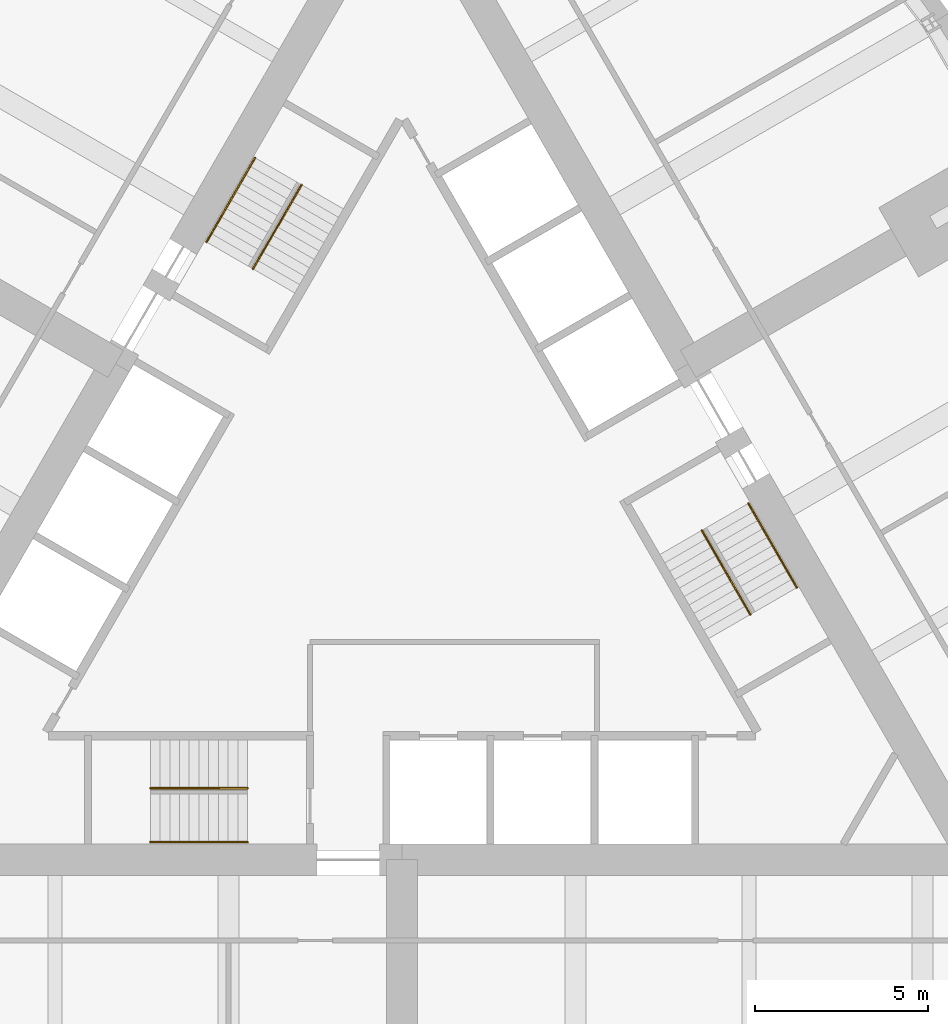
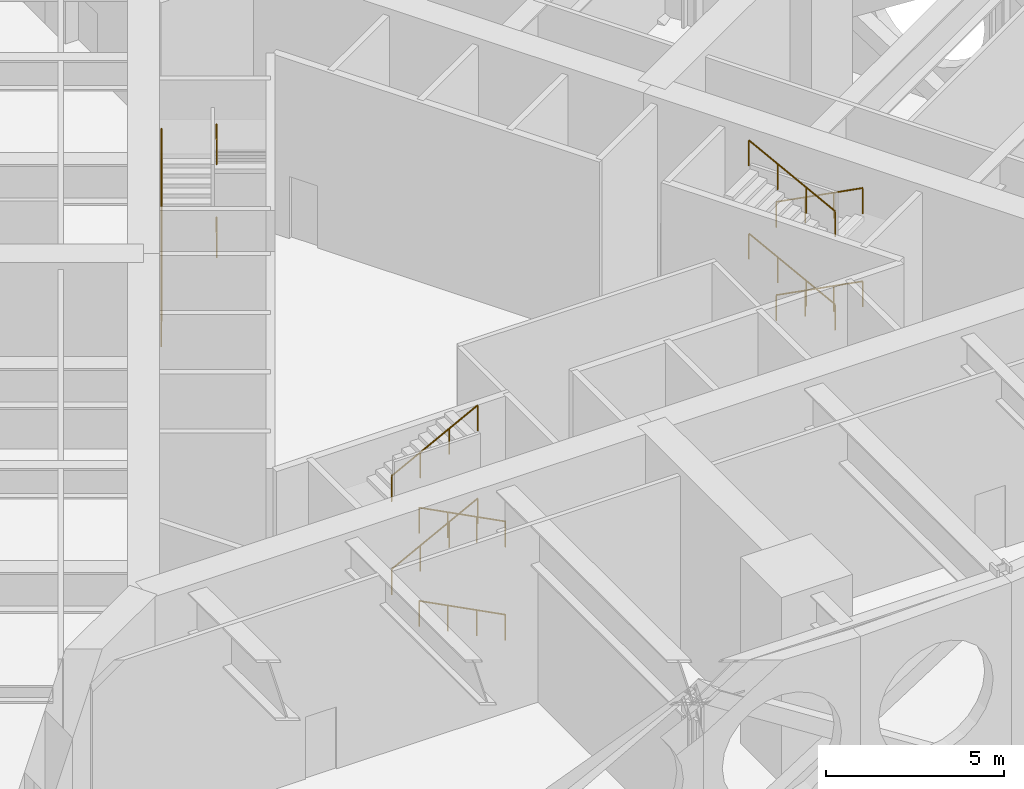
# One storey, part 7 of 7: 12 railings.
"""IFC4 building model written with IfcOpenShell, lengths in metres."""

from ifc_helpers import new_model, si_unit, direction, frame, origin, origin_2d, place, context, subcontext, project, spatial, circle, extrude, material, type_object, element, save


model = new_model("IFC4")

# Units and contexts
model_context = context("Model", 3, precision=1e-05, world=origin(), true_north=direction((0.0, 1.0)))
body_context = subcontext(model_context, "Body", "Model", "MODEL_VIEW")
ifc_project = project(units=[si_unit("LENGTHUNIT", "METRE"), si_unit("AREAUNIT", "SQUARE_METRE"), si_unit("VOLUMEUNIT", "CUBIC_METRE"), si_unit("PLANEANGLEUNIT", "RADIAN"), si_unit("MASSUNIT", "GRAM", prefix="KILO")], contexts=[model_context])

# Site, building, storey
site_placement = place(None, origin())
site = spatial("IfcSite", under=ifc_project, at=site_placement, CompositionType="ELEMENT")
building_placement = place(site_placement, origin())
building = spatial("IfcBuilding", under=site, at=building_placement, Name="Trikona Tower", CompositionType="ELEMENT")
storey_placement = place(building_placement, frame((0.0, 0.0, 189.5)))
storey = spatial("IfcBuildingStorey", under=building, at=storey_placement, Name="L51", CompositionType="ELEMENT", Elevation=189.5)

# Railings
ifc_material = material(Name="Stainless steel handrail", Category="steel")
railing_type = type_object("IfcRailingType", Name="Stair handrail", PredefinedType="HANDRAIL", material=ifc_material)
railing_1_placement = place(storey_placement, frame((-4.449951171875, -9.016357421875, 0.1455078125)))
element("IfcRailing", 1, at=railing_1_placement, inside=storey, type_object=railing_type, Name="Stair handrail A L51 1", PredefinedType="HANDRAIL", context=body_context, shape_type="SweptSolid", body=[
    extrude(circle(Radius=0.02392578125, at=origin_2d()), frame((0.0, 0.0, 0.8759765625), z_axis=(-0.887402952893, 0.0, 0.460994576104), x_axis=(0.0, -1.0, 0.0)), (0.0, 0.0, 1.0), 3.1552734375),
    extrude(circle(Radius=0.02099609375, at=origin_2d()), origin(), (0.0, 0.0, 1.0), 0.851806640625),
    extrude(circle(Radius=0.02099609375, at=origin_2d()), frame((-0.933349609375, 0.0, 0.48486328125)), (0.0, 0.0, 1.0), 0.851806640625),
    extrude(circle(Radius=0.02099609375, at=origin_2d()), frame((-1.86669921875, 0.0, 0.9697265625)), (0.0, 0.0, 1.0), 0.851806640625),
    extrude(circle(Radius=0.02099609375, at=origin_2d()), frame((-2.800048828125, 0.0, 1.45458984375)), (0.0, 0.0, 1.0), 0.851806640625),
])
railing_2_placement = place(storey_placement, frame((-7.25, -7.46630859375, 1.74560546875)))
element("IfcRailing", 2, at=railing_2_placement, inside=storey, type_object=railing_type, Name="Stair handrail A L51 2", PredefinedType="HANDRAIL", context=body_context, shape_type="SweptSolid", body=[
    extrude(circle(Radius=0.02392578125, at=origin_2d()), frame((0.0, 0.0, 0.8759765625), z_axis=(0.88743460472, 0.0, 0.460933642019), x_axis=(0.0, 1.0, 0.0)), (0.0, 0.0, 1.0), 3.1552734375),
    extrude(circle(Radius=0.02099609375, at=origin_2d()), origin(), (0.0, 0.0, 1.0), 0.851806640625),
    extrude(circle(Radius=0.02099609375, at=origin_2d()), frame((0.933349609375, 0.0, 0.48486328125)), (0.0, 0.0, 1.0), 0.851806640625),
    extrude(circle(Radius=0.02099609375, at=origin_2d()), frame((1.86669921875, 0.0, 0.969482421875)), (0.0, 0.0, 1.0), 0.851806640625),
    extrude(circle(Radius=0.02099609375, at=origin_2d()), frame((2.800048828125, 0.0, 1.454345703125)), (0.0, 0.0, 1.0), 0.851806640625),
])
railing_3_placement = place(storey_placement, frame((-4.449951171875, -9.016357421875, 3.345458984375)))
element("IfcRailing", 3, at=railing_3_placement, inside=storey, type_object=railing_type, Name="Stair handrail A L51 3", PredefinedType="HANDRAIL", context=body_context, shape_type="SweptSolid", body=[
    extrude(circle(Radius=0.02392578125, at=origin_2d()), frame((0.0, 0.0, 0.8759765625), z_axis=(-0.887402952893, 0.0, 0.460994576104), x_axis=(0.0, -1.0, 0.0)), (0.0, 0.0, 1.0), 3.1552734375),
    extrude(circle(Radius=0.02099609375, at=origin_2d()), origin(), (0.0, 0.0, 1.0), 0.851806640625),
    extrude(circle(Radius=0.02099609375, at=origin_2d()), frame((-0.933349609375, 0.0, 0.48486328125)), (0.0, 0.0, 1.0), 0.851806640625),
    extrude(circle(Radius=0.02099609375, at=origin_2d()), frame((-1.86669921875, 0.0, 0.9697265625)), (0.0, 0.0, 1.0), 0.851806640625),
    extrude(circle(Radius=0.02099609375, at=origin_2d()), frame((-2.800048828125, 0.0, 1.45458984375)), (0.0, 0.0, 1.0), 0.851806640625),
])
railing_4_placement = place(storey_placement, frame((-7.25, -7.46630859375, 4.945556640625)))
element("IfcRailing", 4, at=railing_4_placement, inside=storey, type_object=railing_type, Name="Stair handrail A L51 4", PredefinedType="HANDRAIL", context=body_context, shape_type="SweptSolid", body=[
    extrude(circle(Radius=0.02392578125, at=origin_2d()), frame((0.0, 0.0, 0.8759765625), z_axis=(0.88743460472, 0.0, 0.460933642019), x_axis=(0.0, 1.0, 0.0)), (0.0, 0.0, 1.0), 3.1552734375),
    extrude(circle(Radius=0.02099609375, at=origin_2d()), origin(), (0.0, 0.0, 1.0), 0.851806640625),
    extrude(circle(Radius=0.02099609375, at=origin_2d()), frame((0.933349609375, 0.0, 0.48486328125)), (0.0, 0.0, 1.0), 0.851806640625),
    extrude(circle(Radius=0.02099609375, at=origin_2d()), frame((1.86669921875, 0.0, 0.969482421875)), (0.0, 0.0, 1.0), 0.851806640625),
    extrude(circle(Radius=0.02099609375, at=origin_2d()), frame((2.800048828125, 0.0, 1.454345703125)), (0.0, 0.0, 1.0), 0.851806640625),
])
railing_5_placement = place(storey_placement, frame((9.9833984375, 0.740966796875, 0.1455078125)))
element("IfcRailing", 5, at=railing_5_placement, inside=storey, type_object=railing_type, Name="Stair handrail B L51 1", PredefinedType="HANDRAIL", context=body_context, shape_type="SweptSolid", body=[
    extrude(circle(Radius=0.02392578125, at=origin_2d()), frame((0.0, 0.0, 0.8759765625), z_axis=(0.443655772185, -0.7685442597, 0.460987284737), x_axis=(0.866056369097, 0.49994636267, 0.0)), (0.0, 0.0, 1.0), 3.1552734375),
    extrude(circle(Radius=0.02099609375, at=origin_2d()), origin(), (0.0, 0.0, 1.0), 0.851806640625),
    extrude(circle(Radius=0.02099609375, at=origin_2d()), frame((0.466552734375, -0.808349609375, 0.48486328125)), (0.0, 0.0, 1.0), 0.851806640625),
    extrude(circle(Radius=0.02099609375, at=origin_2d()), frame((0.933349609375, -1.61669921875, 0.9697265625)), (0.0, 0.0, 1.0), 0.851806640625),
    extrude(circle(Radius=0.02099609375, at=origin_2d()), frame((1.39990234375, -2.425048828125, 1.45458984375)), (0.0, 0.0, 1.0), 0.851806640625),
])
railing_6_placement = place(storey_placement, frame((10.041015625, -2.458984375, 1.74560546875)))
element("IfcRailing", 6, at=railing_6_placement, inside=storey, type_object=railing_type, Name="Stair handrail B L51 2", PredefinedType="HANDRAIL", context=body_context, shape_type="SweptSolid", body=[
    extrude(circle(Radius=0.02392578125, at=origin_2d()), frame((0.0, 0.0, 0.8759765625), z_axis=(-0.443671595968, 0.768571671216, 0.460926351096), x_axis=(-0.866056369097, -0.49994636267, 0.0)), (0.0, 0.0, 1.0), 3.1552734375),
    extrude(circle(Radius=0.02099609375, at=origin_2d()), origin(), (0.0, 0.0, 1.0), 0.851806640625),
    extrude(circle(Radius=0.02099609375, at=origin_2d()), frame((-0.466552734375, 0.808349609375, 0.48486328125)), (0.0, 0.0, 1.0), 0.851806640625),
    extrude(circle(Radius=0.02099609375, at=origin_2d()), frame((-0.933349609375, 1.61669921875, 0.969482421875)), (0.0, 0.0, 1.0), 0.851806640625),
    extrude(circle(Radius=0.02099609375, at=origin_2d()), frame((-1.39990234375, 2.425048828125, 1.454345703125)), (0.0, 0.0, 1.0), 0.851806640625),
])
railing_7_placement = place(storey_placement, frame((9.9833984375, 0.740966796875, 3.345458984375)))
element("IfcRailing", 7, at=railing_7_placement, inside=storey, type_object=railing_type, Name="Stair handrail B L51 3", PredefinedType="HANDRAIL", context=body_context, shape_type="SweptSolid", body=[
    extrude(circle(Radius=0.02392578125, at=origin_2d()), frame((0.0, 0.0, 0.8759765625), z_axis=(0.443655772185, -0.7685442597, 0.460987284737), x_axis=(0.866056369097, 0.49994636267, 0.0)), (0.0, 0.0, 1.0), 3.1552734375),
    extrude(circle(Radius=0.02099609375, at=origin_2d()), origin(), (0.0, 0.0, 1.0), 0.851806640625),
    extrude(circle(Radius=0.02099609375, at=origin_2d()), frame((0.466552734375, -0.808349609375, 0.48486328125)), (0.0, 0.0, 1.0), 0.851806640625),
    extrude(circle(Radius=0.02099609375, at=origin_2d()), frame((0.933349609375, -1.61669921875, 0.9697265625)), (0.0, 0.0, 1.0), 0.851806640625),
    extrude(circle(Radius=0.02099609375, at=origin_2d()), frame((1.39990234375, -2.425048828125, 1.45458984375)), (0.0, 0.0, 1.0), 0.851806640625),
])
railing_8_placement = place(storey_placement, frame((10.041015625, -2.458984375, 4.945556640625)))
element("IfcRailing", 8, at=railing_8_placement, inside=storey, type_object=railing_type, Name="Stair handrail B L51 4", PredefinedType="HANDRAIL", context=body_context, shape_type="SweptSolid", body=[
    extrude(circle(Radius=0.02392578125, at=origin_2d()), frame((0.0, 0.0, 0.8759765625), z_axis=(-0.443671595968, 0.768571671216, 0.460926351096), x_axis=(-0.866056369097, -0.49994636267, 0.0)), (0.0, 0.0, 1.0), 3.1552734375),
    extrude(circle(Radius=0.02099609375, at=origin_2d()), origin(), (0.0, 0.0, 1.0), 0.851806640625),
    extrude(circle(Radius=0.02099609375, at=origin_2d()), frame((-0.466552734375, 0.808349609375, 0.48486328125)), (0.0, 0.0, 1.0), 0.851806640625),
    extrude(circle(Radius=0.02099609375, at=origin_2d()), frame((-0.933349609375, 1.61669921875, 0.969482421875)), (0.0, 0.0, 1.0), 0.851806640625),
    extrude(circle(Radius=0.02099609375, at=origin_2d()), frame((-1.39990234375, 2.425048828125, 1.454345703125)), (0.0, 0.0, 1.0), 0.851806640625),
])
railing_9_placement = place(storey_placement, frame((-5.63330078125, 8.275390625, 0.1455078125)))
element("IfcRailing", 9, at=railing_9_placement, inside=storey, type_object=railing_type, Name="Stair handrail C L51 1", PredefinedType="HANDRAIL", context=body_context, shape_type="SweptSolid", body=[
    extrude(circle(Radius=0.02392578125, at=origin_2d()), frame((0.0, 0.0, 0.8759765625), z_axis=(0.443682154953, 0.768512585104, 0.461014698153), x_axis=(-0.866034573852, 0.49998411664, 0.0)), (0.0, 0.0, 1.0), 3.1552734375),
    extrude(circle(Radius=0.02099609375, at=origin_2d()), origin(), (0.0, 0.0, 1.0), 0.851806640625),
    extrude(circle(Radius=0.02099609375, at=origin_2d()), frame((0.466552734375, 0.808349609375, 0.48486328125)), (0.0, 0.0, 1.0), 0.851806640625),
    extrude(circle(Radius=0.02099609375, at=origin_2d()), frame((0.933349609375, 1.616455078125, 0.9697265625)), (0.0, 0.0, 1.0), 0.851806640625),
    extrude(circle(Radius=0.02099609375, at=origin_2d()), frame((1.39990234375, 2.4248046875, 1.45458984375)), (0.0, 0.0, 1.0), 0.851806640625),
])
railing_10_placement = place(storey_placement, frame((-2.89111328125, 9.92529296875, 1.74560546875)))
element("IfcRailing", 10, at=railing_10_placement, inside=storey, type_object=railing_type, Name="Stair handrail C L51 2", PredefinedType="HANDRAIL", context=body_context, shape_type="SweptSolid", body=[
    extrude(circle(Radius=0.02392578125, at=origin_2d()), frame((0.0, 0.0, 0.8759765625), z_axis=(-0.443671595968, -0.768571671216, 0.460926351096), x_axis=(0.866056369097, -0.49994636267, 0.0)), (0.0, 0.0, 1.0), 3.1552734375),
    extrude(circle(Radius=0.02099609375, at=origin_2d()), origin(), (0.0, 0.0, 1.0), 0.851806640625),
    extrude(circle(Radius=0.02099609375, at=origin_2d()), frame((-0.466552734375, -0.808349609375, 0.48486328125)), (0.0, 0.0, 1.0), 0.851806640625),
    extrude(circle(Radius=0.02099609375, at=origin_2d()), frame((-0.933349609375, -1.61669921875, 0.969482421875)), (0.0, 0.0, 1.0), 0.851806640625),
    extrude(circle(Radius=0.02099609375, at=origin_2d()), frame((-1.39990234375, -2.425048828125, 1.454345703125)), (0.0, 0.0, 1.0), 0.851806640625),
])
railing_11_placement = place(storey_placement, frame((-5.63330078125, 8.275390625, 3.345458984375)))
element("IfcRailing", 11, at=railing_11_placement, inside=storey, type_object=railing_type, Name="Stair handrail C L51 3", PredefinedType="HANDRAIL", context=body_context, shape_type="SweptSolid", body=[
    extrude(circle(Radius=0.02392578125, at=origin_2d()), frame((0.0, 0.0, 0.8759765625), z_axis=(0.443682154953, 0.768512585104, 0.461014698153), x_axis=(-0.866034573852, 0.49998411664, 0.0)), (0.0, 0.0, 1.0), 3.1552734375),
    extrude(circle(Radius=0.02099609375, at=origin_2d()), origin(), (0.0, 0.0, 1.0), 0.851806640625),
    extrude(circle(Radius=0.02099609375, at=origin_2d()), frame((0.466552734375, 0.808349609375, 0.48486328125)), (0.0, 0.0, 1.0), 0.851806640625),
    extrude(circle(Radius=0.02099609375, at=origin_2d()), frame((0.933349609375, 1.616455078125, 0.9697265625)), (0.0, 0.0, 1.0), 0.851806640625),
    extrude(circle(Radius=0.02099609375, at=origin_2d()), frame((1.39990234375, 2.4248046875, 1.45458984375)), (0.0, 0.0, 1.0), 0.851806640625),
])
railing_12_placement = place(storey_placement, frame((-2.89111328125, 9.92529296875, 4.945556640625)))
element("IfcRailing", 12, at=railing_12_placement, inside=storey, type_object=railing_type, Name="Stair handrail C L51 4", PredefinedType="HANDRAIL", context=body_context, shape_type="SweptSolid", body=[
    extrude(circle(Radius=0.02392578125, at=origin_2d()), frame((0.0, 0.0, 0.8759765625), z_axis=(-0.443671595968, -0.768571671216, 0.460926351096), x_axis=(0.866056369097, -0.49994636267, 0.0)), (0.0, 0.0, 1.0), 3.1552734375),
    extrude(circle(Radius=0.02099609375, at=origin_2d()), origin(), (0.0, 0.0, 1.0), 0.851806640625),
    extrude(circle(Radius=0.02099609375, at=origin_2d()), frame((-0.466552734375, -0.808349609375, 0.48486328125)), (0.0, 0.0, 1.0), 0.851806640625),
    extrude(circle(Radius=0.02099609375, at=origin_2d()), frame((-0.933349609375, -1.61669921875, 0.969482421875)), (0.0, 0.0, 1.0), 0.851806640625),
    extrude(circle(Radius=0.02099609375, at=origin_2d()), frame((-1.39990234375, -2.425048828125, 1.454345703125)), (0.0, 0.0, 1.0), 0.851806640625),
])

save(model, "model.ifc")
